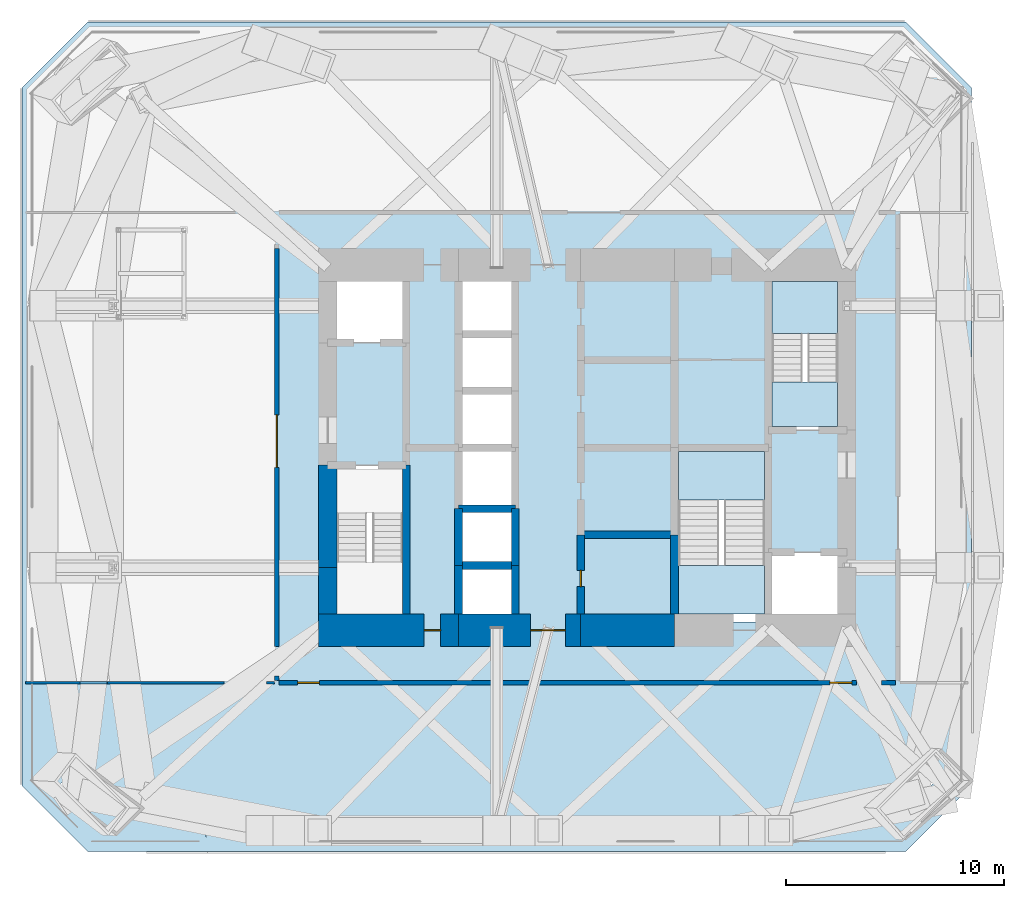
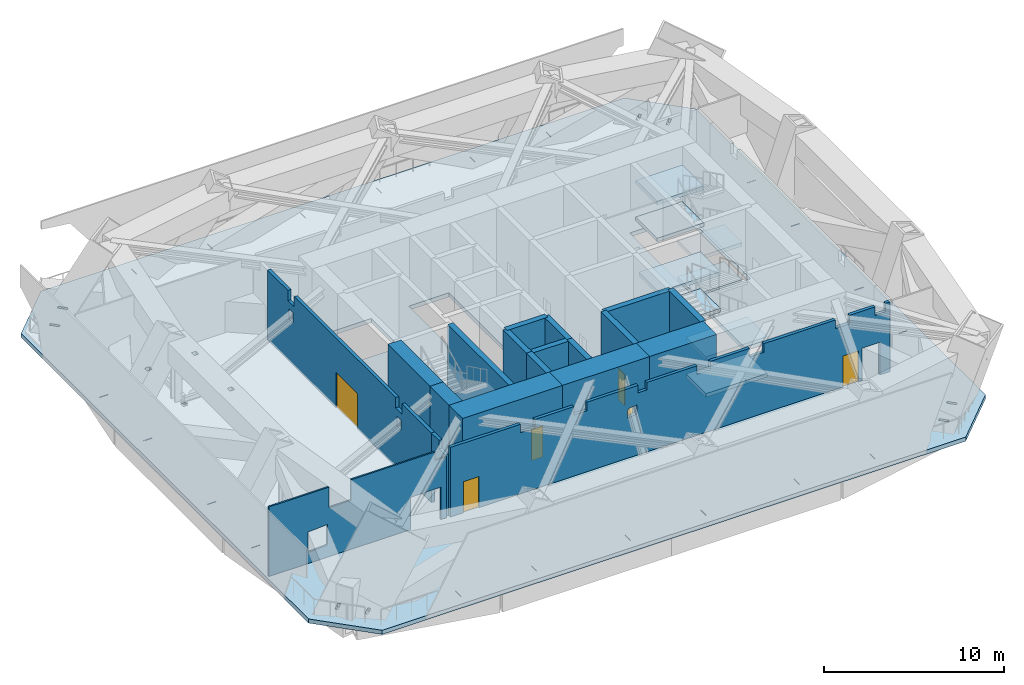
# One storey, part 5 of 11: 19 walls, 9 slabs, 6 doors, 6 openings, 2 elements without a shape of their own.
"""IFC4 building model written with IfcOpenShell, lengths in metres."""

from ifc_helpers import new_model, si_unit, direction, frame, frame_2d, origin, place, context, subcontext, project, spatial, polyline, rectangle, outline, extrude, material, layer, layer_set, constituent, constituent_set, type_object, element, fill, aggregate, save


model = new_model("IFC4")

# Units and contexts
model_context = context("Model", 3, precision=1e-05, world=origin(), true_north=direction((0.0, 1.0)))
body_context = subcontext(model_context, "Body", "Model", "MODEL_VIEW")
ifc_project = project(units=[si_unit("LENGTHUNIT", "METRE"), si_unit("AREAUNIT", "SQUARE_METRE"), si_unit("VOLUMEUNIT", "CUBIC_METRE"), si_unit("PLANEANGLEUNIT", "RADIAN"), si_unit("MASSUNIT", "GRAM", prefix="KILO")], contexts=[model_context])

# Site, building, storey
site_placement = place(None, origin())
site = spatial("IfcSite", under=ifc_project, at=site_placement, CompositionType="ELEMENT")
building_placement = place(site_placement, origin())
building = spatial("IfcBuilding", under=site, at=building_placement, Name="Jalousie Tower", CompositionType="ELEMENT")
storey_placement = place(building_placement, frame((0.0, 0.0, 144.35009765625)))
storey = spatial("IfcBuildingStorey", under=building, at=storey_placement, Name="L39", CompositionType="ELEMENT", Elevation=144.35009765625)

# Slab
ifc_material_1 = material(Name="Concrete f'c 40 MPa", Category="concrete")
ifc_layer_1 = layer(ifc_material_1, 0.280029296875)
ifc_layer_set_1 = layer_set([ifc_layer_1], Name="Concrete f'c 40 MPa")
slab_type_1 = type_object("IfcSlabType", Name="FLOOR SLAB 280", PredefinedType="FLOOR", material=ifc_layer_set_1)
slab_1_placement = place(storey_placement, frame((0.0, 0.0, -0.280029296875)))
element("IfcSlab", 1, at=slab_1_placement, inside=storey, type_object=slab_type_1, Name="L39 floor slab", PredefinedType="FLOOR", context=body_context, shape_type="SweptSolid", body=[
    extrude(outline(polyline([(9.0, 0.0), (46.5, 0.0), (49.5, 3.0), (49.5, 35.0), (46.5, 38.0), (9.0, 38.0), (6.0, 35.0), (6.0, 3.0), (9.0, 0.0)]), holes=[polyline([(25.300048828125, 1.236083984375), (25.325927734375, 1.236083984375), (25.325927734375, 0.663818359375), (25.300048828125, 0.663818359375), (25.300048828125, 1.236083984375)]), polyline([(14.425048828125, 0.663818359375), (14.425048828125, 1.236083984375), (14.450927734375, 1.236083984375), (14.450927734375, 0.663818359375), (14.425048828125, 0.663818359375)]), polyline([(19.324951171875, 0.663818359375), (19.299072265625, 0.663818359375), (19.299072265625, 1.236083984375), (19.324951171875, 1.236083984375), (19.324951171875, 0.663818359375)]), polyline([(9.1005859375, 1.75732421875), (8.98193359375, 1.876220703125), (9.38671875, 2.28076171875), (9.505615234375, 2.162109375), (9.1005859375, 1.75732421875)]), polyline([(8.162109375, 3.505615234375), (8.28076171875, 3.38671875), (7.876220703125, 2.98193359375), (7.75732421875, 3.1005859375), (8.162109375, 3.505615234375)]), polyline([(6.663818359375, 10.550048828125), (6.663818359375, 10.575927734375), (7.236083984375, 10.575927734375), (7.236083984375, 10.550048828125), (6.663818359375, 10.550048828125)]), polyline([(20.0, 10.5), (23.60009765625, 10.5), (23.60009765625, 17.699951171875), (20.0, 17.699951171875), (20.0, 10.5)]), polyline([(7.236083984375, 15.449951171875), (7.236083984375, 15.424072265625), (6.663818359375, 15.424072265625), (6.663818359375, 15.449951171875), (7.236083984375, 15.449951171875)]), polyline([(26.0, 10.5), (26.0, 26.5), (28.60009765625, 26.5), (28.60009765625, 10.5), (26.0, 10.5)]), polyline([(7.236083984375, 22.550048828125), (6.663818359375, 22.550048828125), (6.663818359375, 22.575927734375), (7.236083984375, 22.575927734375), (7.236083984375, 22.550048828125)]), polyline([(20.0, 23.300048828125), (23.60009765625, 23.300048828125), (23.60009765625, 26.5), (20.0, 26.5), (20.0, 23.300048828125)]), polyline([(7.236083984375, 27.449951171875), (7.236083984375, 27.424072265625), (6.663818359375, 27.424072265625), (6.663818359375, 27.449951171875), (7.236083984375, 27.449951171875)]), polyline([(7.75732421875, 34.8994140625), (7.876220703125, 35.01806640625), (8.28076171875, 34.61328125), (8.162109375, 34.494384765625), (7.75732421875, 34.8994140625)]), polyline([(9.505615234375, 35.837890625), (9.38671875, 35.71923828125), (8.98193359375, 36.123779296875), (9.1005859375, 36.24267578125), (9.505615234375, 35.837890625)]), polyline([(19.324951171875, 36.763916015625), (19.299072265625, 36.763916015625), (19.299072265625, 37.336181640625), (19.324951171875, 37.336181640625), (19.324951171875, 36.763916015625)]), polyline([(14.425048828125, 37.336181640625), (14.450927734375, 37.336181640625), (14.450927734375, 36.763916015625), (14.425048828125, 36.763916015625), (14.425048828125, 37.336181640625)]), polyline([(25.300048828125, 37.336181640625), (25.325927734375, 37.336181640625), (25.325927734375, 36.763916015625), (25.300048828125, 36.763916015625), (25.300048828125, 37.336181640625)]), polyline([(30.199951171875, 1.236083984375), (30.199951171875, 0.663818359375), (30.174072265625, 0.663818359375), (30.174072265625, 1.236083984375), (30.199951171875, 1.236083984375)]), polyline([(36.175048828125, 1.236083984375), (36.200927734375, 1.236083984375), (36.200927734375, 0.663818359375), (36.175048828125, 0.663818359375), (36.175048828125, 1.236083984375)]), polyline([(41.074951171875, 0.663818359375), (41.049072265625, 0.663818359375), (41.049072265625, 1.236083984375), (41.074951171875, 1.236083984375), (41.074951171875, 0.663818359375)]), polyline([(45.994384765625, 2.162109375), (46.11328125, 2.28076171875), (46.51806640625, 1.876220703125), (46.3994140625, 1.75732421875), (45.994384765625, 2.162109375)]), polyline([(47.74267578125, 3.1005859375), (47.623779296875, 2.98193359375), (47.21923828125, 3.38671875), (47.337890625, 3.505615234375), (47.74267578125, 3.1005859375)]), polyline([(48.263916015625, 10.550048828125), (48.263916015625, 10.575927734375), (48.836181640625, 10.575927734375), (48.836181640625, 10.550048828125), (48.263916015625, 10.550048828125)]), polyline([(43.800048828125, 10.5), (35.89990234375, 10.5), (35.89990234375, 18.5), (40.199951171875, 18.5), (40.199951171875, 13.699951171875), (43.800048828125, 13.699951171875), (43.800048828125, 10.5)]), polyline([(48.836181640625, 15.449951171875), (48.836181640625, 15.424072265625), (48.263916015625, 15.424072265625), (48.263916015625, 15.449951171875), (48.836181640625, 15.449951171875)]), polyline([(48.836181640625, 22.550048828125), (48.263916015625, 22.550048828125), (48.263916015625, 22.575927734375), (48.836181640625, 22.575927734375), (48.836181640625, 22.550048828125)]), polyline([(40.199951171875, 19.300048828125), (43.800048828125, 19.300048828125), (43.800048828125, 26.5), (40.199951171875, 26.5), (40.199951171875, 19.300048828125)]), polyline([(48.836181640625, 27.449951171875), (48.836181640625, 27.424072265625), (48.263916015625, 27.424072265625), (48.263916015625, 27.449951171875), (48.836181640625, 27.449951171875)]), polyline([(47.337890625, 34.494384765625), (47.21923828125, 34.61328125), (47.623779296875, 35.01806640625), (47.74267578125, 34.8994140625), (47.337890625, 34.494384765625)]), polyline([(46.3994140625, 36.24267578125), (46.51806640625, 36.123779296875), (46.11328125, 35.71923828125), (45.994384765625, 35.837890625), (46.3994140625, 36.24267578125)]), polyline([(41.074951171875, 36.763916015625), (41.049072265625, 36.763916015625), (41.049072265625, 37.336181640625), (41.074951171875, 37.336181640625), (41.074951171875, 36.763916015625)]), polyline([(36.175048828125, 37.336181640625), (36.200927734375, 37.336181640625), (36.200927734375, 36.763916015625), (36.175048828125, 36.763916015625), (36.175048828125, 37.336181640625)]), polyline([(30.199951171875, 36.763916015625), (30.174072265625, 36.763916015625), (30.174072265625, 37.336181640625), (30.199951171875, 37.336181640625), (30.199951171875, 36.763916015625)]), polyline([(10.262451171875, 24.3349609375), (10.5625, 24.3349609375), (10.5625, 24.635009765625), (10.262451171875, 24.635009765625), (10.262451171875, 24.3349609375)]), polyline([(13.262451171875, 24.3349609375), (13.5625, 24.3349609375), (13.5625, 24.635009765625), (13.262451171875, 24.635009765625), (13.262451171875, 24.3349609375)]), polyline([(10.262451171875, 28.324951171875), (10.5625, 28.324951171875), (10.5625, 28.625), (10.262451171875, 28.625), (10.262451171875, 28.324951171875)]), polyline([(13.262451171875, 28.324951171875), (13.5625, 28.324951171875), (13.5625, 28.625), (13.262451171875, 28.625), (13.262451171875, 28.324951171875)])]), origin(), (0.0, 0.0, 1.0), 0.280029296875),
])

# Stair, slabs
ifc_material_2 = material(Name="Concrete f'c 40 MPa", Category="concrete")
stair_type = type_object("IfcStairType", Name="EXIT STAIR", PredefinedType="HALF_TURN_STAIR", material=ifc_material_2)
stair_1_placement = place(storey_placement, origin())
stair_1 = element("IfcStair", 2, at=stair_1_placement, inside=storey, type_object=stair_type, Name="Exit stair B L39", PredefinedType="HALF_TURN_STAIR")
ifc_material_3 = material(Name="Concrete f'c 40 MPa", Category="concrete")
ifc_layer_2 = layer(ifc_material_3, 0.25)
ifc_layer_set_2 = layer_set([ifc_layer_2], Name="Concrete f'c 40 MPa")
slab_type_2 = type_object("IfcSlabType", Name="STAIR LANDING 250", PredefinedType="LANDING", material=ifc_layer_set_2)
slab_2_placement = place(storey_placement, frame((0.0, 0.0, -0.25)))
slab_2 = element("IfcSlab", 3, at=slab_2_placement, type_object=slab_type_2, Name="ST-B landing 1", PredefinedType="LANDING", context=body_context, shape_type="SweptSolid", body=[
    extrude(outline(polyline([(40.375, 19.47509765625), (43.375, 19.47509765625), (43.375, 21.50244140625), (40.375, 21.50244140625), (40.375, 19.47509765625)])), origin(), (0.0, 0.0, 1.0), 0.25),
])
slab_3_placement = place(storey_placement, frame((0.0, 0.0, 1.0)))
slab_3 = element("IfcSlab", 4, at=slab_3_placement, type_object=slab_type_2, Name="ST-B landing 2", PredefinedType="LANDING", context=body_context, shape_type="SweptSolid", body=[
    extrude(outline(polyline([(40.375, 23.742431640625), (43.375, 23.742431640625), (43.375, 26.125), (40.375, 26.125), (40.375, 23.742431640625)])), origin(), (0.0, 0.0, 1.0), 0.25),
])
slab_4_placement = place(storey_placement, frame((0.0, 0.0, 2.25)))
slab_4 = element("IfcSlab", 5, at=slab_4_placement, type_object=slab_type_2, Name="ST-B landing 3", PredefinedType="LANDING", context=body_context, shape_type="SweptSolid", body=[
    extrude(outline(polyline([(40.375, 19.47509765625), (43.375, 19.47509765625), (43.375, 21.50244140625), (40.375, 21.50244140625), (40.375, 19.47509765625)])), origin(), (0.0, 0.0, 1.0), 0.25),
])
slab_5_placement = place(storey_placement, frame((0.0, 0.0, 3.5)))
slab_5 = element("IfcSlab", 6, at=slab_5_placement, type_object=slab_type_2, Name="ST-B landing 4", PredefinedType="LANDING", context=body_context, shape_type="SweptSolid", body=[
    extrude(outline(polyline([(40.375, 23.742431640625), (43.375, 23.742431640625), (43.375, 26.125), (40.375, 26.125), (40.375, 23.742431640625)])), origin(), (0.0, 0.0, 1.0), 0.25),
])
aggregate(stair_1, [slab_2, slab_3, slab_4, slab_5])

stair_2_placement = place(storey_placement, origin())
stair_2 = element("IfcStair", 7, at=stair_2_placement, inside=storey, type_object=stair_type, Name="Exit stair C L39", PredefinedType="HALF_TURN_STAIR")
slab_6_placement = place(storey_placement, frame((0.0, 0.0, -0.25)))
slab_6 = element("IfcSlab", 8, at=slab_6_placement, type_object=slab_type_2, Name="ST-C landing 1", PredefinedType="LANDING", context=body_context, shape_type="SweptSolid", body=[
    extrude(outline(polyline([(36.074951171875, 10.875), (40.02490234375, 10.875), (40.02490234375, 13.097412109375), (36.074951171875, 13.097412109375), (36.074951171875, 10.875)])), origin(), (0.0, 0.0, 1.0), 0.25),
])
slab_7_placement = place(storey_placement, frame((0.0, 0.0, 1.0)))
slab_7 = element("IfcSlab", 9, at=slab_7_placement, type_object=slab_type_2, Name="ST-C landing 2", PredefinedType="LANDING", context=body_context, shape_type="SweptSolid", body=[
    extrude(outline(polyline([(36.074951171875, 16.097412109375), (40.02490234375, 16.097412109375), (40.02490234375, 18.324951171875), (36.074951171875, 18.324951171875), (36.074951171875, 16.097412109375)])), origin(), (0.0, 0.0, 1.0), 0.25),
])
slab_8_placement = place(storey_placement, frame((0.0, 0.0, 2.25)))
slab_8 = element("IfcSlab", 10, at=slab_8_placement, type_object=slab_type_2, Name="ST-C landing 3", PredefinedType="LANDING", context=body_context, shape_type="SweptSolid", body=[
    extrude(outline(polyline([(36.074951171875, 10.875), (40.02490234375, 10.875), (40.02490234375, 13.097412109375), (36.074951171875, 13.097412109375), (36.074951171875, 10.875)])), origin(), (0.0, 0.0, 1.0), 0.25),
])
slab_9_placement = place(storey_placement, frame((0.0, 0.0, 3.5)))
slab_9 = element("IfcSlab", 11, at=slab_9_placement, type_object=slab_type_2, Name="ST-C landing 4", PredefinedType="LANDING", context=body_context, shape_type="SweptSolid", body=[
    extrude(outline(polyline([(36.074951171875, 16.097412109375), (40.02490234375, 16.097412109375), (40.02490234375, 18.324951171875), (36.074951171875, 18.324951171875), (36.074951171875, 16.097412109375)])), origin(), (0.0, 0.0, 1.0), 0.25),
])
aggregate(stair_2, [slab_6, slab_7, slab_8, slab_9])

# Wall, opening, door
ifc_material_4 = material(Name="Concrete f'c 120 MPa", Category="concrete")
ifc_layer_3 = layer(ifc_material_4, 1.5)
ifc_layer_set_3 = layer_set([ifc_layer_3], Name="Concrete f'c 120 MPa")
wall_type_1 = type_object("IfcWallType", Name="CORE WALL 1500", PredefinedType="SHEAR", material=ifc_layer_set_3)
wall_1_placement = place(storey_placement, frame((19.574951171875, 10.125, 0.0), z_axis=(0.0, 0.0, 1.0), x_axis=(1.0, 0.0, 0.0)))
wall_1 = element("IfcWall", 12, at=wall_1_placement, inside=storey, type_object=wall_type_1, Name="Core wall SA L39", PredefinedType="SHEAR", context=body_context, shape_type="SweptSolid", body=[
    extrude(rectangle(XDim=6.425048828125, YDim=1.5, at=frame_2d((3.21240234375, 0.0))), origin(), (0.0, 0.0, 1.0), 5.0),
])
opening_1_placement = place(wall_1_placement, frame((4.85009765625, 0.0, 0.0)))
opening_1 = element("IfcOpeningElement", 13, at=opening_1_placement, cuts=wall_1, Name="Opening D16", PredefinedType="OPENING", context=body_context, shape_type="SweptSolid", body=[
    extrude(rectangle(XDim=0.75, YDim=2.10009765625, at=frame_2d((0.375, 1.050048828125))), frame((0.0, 0.760009765625, 0.0), z_axis=(0.0, -1.0, 0.0), x_axis=(1.0, 0.0, 0.0)), (0.0, 0.0, 1.0), 1.52001953125),
])
ifc_material_5 = material(Name="Steel fire door", Category="steel")
door_type_1 = type_object("IfcDoorType", Name="RISER DOOR 750", OperationType="SINGLE_SWING_LEFT", PredefinedType="DOOR", material=ifc_material_5)
door_1_placement = place(opening_1_placement, origin())
door_1 = element("IfcDoor", 14, at=door_1_placement, inside=storey, type_object=door_type_1, Name="South riser door", OperationType="SINGLE_SWING_LEFT", OverallHeight=2.10009765625, OverallWidth=0.75, PredefinedType="DOOR", context=body_context, shape_type="SweptSolid", body=[
    extrude(rectangle(XDim=0.75, YDim=2.10009765625, at=frame_2d((0.375, 1.050048828125))), frame((0.0, 0.02490234375, 0.0), z_axis=(0.0, -1.0, 0.0), x_axis=(1.0, 0.0, 0.0)), (0.0, 0.0, 1.0), 0.050048828125),
])
fill(opening_1, door_1)

wall_2_placement = place(storey_placement, frame((26.0, 10.125, 0.0), z_axis=(0.0, 0.0, 1.0), x_axis=(1.0, 0.0, 0.0)))
wall_2 = element("IfcWall", 15, at=wall_2_placement, inside=storey, type_object=wall_type_1, Name="Core wall SB L39", PredefinedType="SHEAR", context=body_context, shape_type="SweptSolid", body=[
    extrude(rectangle(XDim=5.60009765625, YDim=1.5, at=frame_2d((2.800048828125, 0.0))), origin(), (0.0, 0.0, 1.0), 5.0),
])
opening_2_placement = place(wall_2_placement, frame((3.300048828125, 0.0, 0.0)))
opening_2 = element("IfcOpeningElement", 16, at=opening_2_placement, cuts=wall_2, Name="Opening D15", PredefinedType="OPENING", context=body_context, shape_type="SweptSolid", body=[
    extrude(rectangle(XDim=1.60009765625, YDim=2.10009765625, at=frame_2d((0.800048828125, 1.050048828125))), frame((0.0, 0.760009765625, 0.0), z_axis=(0.0, -1.0, 0.0), x_axis=(1.0, 0.0, 0.0)), (0.0, 0.0, 1.0), 1.52001953125),
])
ifc_material_6 = material(Name="Steel fire door", Category="steel")
door_type_2 = type_object("IfcDoorType", Name="LIFT LOBBY DOOR 1600", OperationType="DOUBLE_DOOR_SINGLE_SWING", PredefinedType="DOOR", material=ifc_material_6)
door_2_placement = place(opening_2_placement, origin())
door_2 = element("IfcDoor", 17, at=door_2_placement, inside=storey, type_object=door_type_2, Name="Lift lobby south door", OperationType="DOUBLE_DOOR_SINGLE_SWING", OverallHeight=2.10009765625, OverallWidth=1.60009765625, PredefinedType="DOOR", context=body_context, shape_type="SweptSolid", body=[
    extrude(rectangle(XDim=1.60009765625, YDim=2.10009765625, at=frame_2d((0.800048828125, 1.050048828125))), frame((0.0, 0.02490234375, 0.0), z_axis=(0.0, -1.0, 0.0), x_axis=(1.0, 0.0, 0.0)), (0.0, 0.0, 1.0), 0.050048828125),
])
fill(opening_2, door_2)

# Walls
wall_3_placement = place(storey_placement, frame((31.60009765625, 10.125, 0.0), z_axis=(0.0, 0.0, 1.0), x_axis=(1.0, 0.0, 0.0)))
element("IfcWall", 18, at=wall_3_placement, inside=storey, type_object=wall_type_1, Name="Core wall SC L39", PredefinedType="SHEAR", context=body_context, shape_type="SweptSolid", body=[
    extrude(rectangle(XDim=4.2998046875, YDim=1.5, at=frame_2d((2.14990234375, 0.0))), origin(), (0.0, 0.0, 1.0), 5.0),
])
ifc_material_7 = material(Name="Concrete f'c 120 MPa", Category="concrete")
ifc_layer_4 = layer(ifc_material_7, 0.35009765625)
ifc_layer_set_4 = layer_set([ifc_layer_4], Name="Concrete f'c 120 MPa")
wall_type_2 = type_object("IfcWallType", Name="CORE WALL 350", PredefinedType="SHEAR", material=ifc_layer_set_4)
wall_4_placement = place(storey_placement, frame((23.60009765625, 10.875, 0.0), z_axis=(0.0, 0.0, 1.0), x_axis=(0.0, 1.0, 0.0)))
element("IfcWall", 19, at=wall_4_placement, inside=storey, type_object=wall_type_2, Name="Core wall X23.6A L39", PredefinedType="SHEAR", context=body_context, shape_type="SweptSolid", body=[
    extrude(rectangle(XDim=6.824951171875, YDim=0.35009765625, at=frame_2d((3.41259765625, 0.0))), origin(), (0.0, 0.0, 1.0), 5.0),
])
wall_5_placement = place(storey_placement, frame((26.0, 10.875, 0.0), z_axis=(0.0, 0.0, 1.0), x_axis=(0.0, 1.0, 0.0)))
element("IfcWall", 20, at=wall_5_placement, inside=storey, type_object=wall_type_2, Name="Core wall X26A L39", PredefinedType="SHEAR", context=body_context, shape_type="SweptSolid", body=[
    extrude(rectangle(XDim=2.22509765625, YDim=0.35009765625, at=frame_2d((1.112548828125, 0.0))), origin(), (0.0, 0.0, 1.0), 5.0),
])
wall_6_placement = place(storey_placement, frame((26.0, 13.10009765625, 0.0), z_axis=(0.0, 0.0, 1.0), x_axis=(0.0, 1.0, 0.0)))
element("IfcWall", 21, at=wall_6_placement, inside=storey, type_object=wall_type_2, Name="Core wall X26B L39", PredefinedType="SHEAR", context=body_context, shape_type="SweptSolid", body=[
    extrude(rectangle(XDim=2.599853515625, YDim=0.35009765625, at=frame_2d((1.2998046875, 0.0))), origin(), (0.0, 0.0, 1.0), 5.0),
])
wall_7_placement = place(storey_placement, frame((28.60009765625, 10.875, 0.0), z_axis=(0.0, 0.0, 1.0), x_axis=(0.0, 1.0, 0.0)))
element("IfcWall", 22, at=wall_7_placement, inside=storey, type_object=wall_type_2, Name="Core wall X28.6A L39", PredefinedType="SHEAR", context=body_context, shape_type="SweptSolid", body=[
    extrude(rectangle(XDim=2.22509765625, YDim=0.35009765625, at=frame_2d((1.112548828125, 0.0))), origin(), (0.0, 0.0, 1.0), 5.0),
])
wall_8_placement = place(storey_placement, frame((28.60009765625, 13.10009765625, 0.0), z_axis=(0.0, 0.0, 1.0), x_axis=(0.0, 1.0, 0.0)))
element("IfcWall", 23, at=wall_8_placement, inside=storey, type_object=wall_type_2, Name="Core wall X28.6B L39", PredefinedType="SHEAR", context=body_context, shape_type="SweptSolid", body=[
    extrude(rectangle(XDim=2.599853515625, YDim=0.35009765625, at=frame_2d((1.2998046875, 0.0))), origin(), (0.0, 0.0, 1.0), 5.0),
])

# Wall, opening, door
wall_9_placement = place(storey_placement, frame((31.60009765625, 10.875, 0.0), z_axis=(0.0, 0.0, 1.0), x_axis=(0.0, 1.0, 0.0)))
wall_9 = element("IfcWall", 24, at=wall_9_placement, inside=storey, type_object=wall_type_2, Name="Core wall X31.6A L39", PredefinedType="SHEAR", context=body_context, shape_type="SweptSolid", body=[
    extrude(rectangle(XDim=3.625, YDim=0.35009765625, at=frame_2d((1.8125, 0.0))), origin(), (0.0, 0.0, 1.0), 5.0),
])
opening_3_placement = place(wall_9_placement, frame((1.25, 0.0, 0.0)))
opening_3 = element("IfcOpeningElement", 25, at=opening_3_placement, cuts=wall_9, Name="Opening D16", PredefinedType="OPENING", context=body_context, shape_type="SweptSolid", body=[
    extrude(rectangle(XDim=0.75, YDim=2.10009765625, at=frame_2d((0.375, 1.050048828125))), frame((0.0, 0.18505859375, 0.0), z_axis=(0.0, -1.0, 0.0), x_axis=(1.0, 0.0, 0.0)), (0.0, 0.0, 1.0), 0.3701171875),
])
door_3_placement = place(opening_3_placement, frame((0.75, 0.0, 0.0), z_axis=(0.0, 0.0, 1.0), x_axis=(-1.0, 0.0, 0.0)))
door_3 = element("IfcDoor", 26, at=door_3_placement, inside=storey, type_object=door_type_1, Name="Refuse Room door", OperationType="SINGLE_SWING_RIGHT", OverallHeight=2.10009765625, OverallWidth=0.75, PredefinedType="DOOR", context=body_context, shape_type="SweptSolid", body=[
    extrude(rectangle(XDim=0.75, YDim=2.10009765625, at=frame_2d((0.375, 1.050048828125))), frame((0.0, 0.02490234375, 0.0), z_axis=(0.0, -1.0, 0.0), x_axis=(1.0, 0.0, 0.0)), (0.0, 0.0, 1.0), 0.050048828125),
])
fill(opening_3, door_3)

# Walls
wall_10_placement = place(storey_placement, frame((35.89990234375, 10.875, 0.0), z_axis=(0.0, 0.0, 1.0), x_axis=(0.0, 1.0, 0.0)))
element("IfcWall", 27, at=wall_10_placement, inside=storey, type_object=wall_type_2, Name="Core wall X35.9A L39", PredefinedType="SHEAR", context=body_context, shape_type="SweptSolid", body=[
    extrude(rectangle(XDim=3.625, YDim=0.35009765625, at=frame_2d((1.8125, 0.0))), origin(), (0.0, 0.0, 1.0), 5.0),
])
for number, where, z_axis, x_axis, name in (
    (28, (26.0, 13.10009765625, 0.0), (0.0, 0.0, 1.0), (1.0, 0.0, 0.0), "Core wall Y26-13.1 L39"),
    (29, (26.0, 15.699951171875, 0.0), (0.0, 0.0, 1.0), (1.0, 0.0, 0.0), "Core wall Y26-15.7 L39"),
):
    element("IfcWall", number, at=place(storey_placement, frame(where, z_axis=z_axis, x_axis=x_axis)), inside=storey, type_object=wall_type_2, Name=name, PredefinedType="SHEAR", context=body_context, shape_type="SweptSolid", body=[
        extrude(rectangle(XDim=2.60009765625, YDim=0.35009765625, at=frame_2d((1.300048828125, 0.0))), origin(), (0.0, 0.0, 1.0), 5.0),
    ])
wall_11_placement = place(storey_placement, frame((31.60009765625, 14.5, 0.0), z_axis=(0.0, 0.0, 1.0), x_axis=(1.0, 0.0, 0.0)))
element("IfcWall", 30, at=wall_11_placement, inside=storey, type_object=wall_type_2, Name="Core wall Y31.6-14.5 L39", PredefinedType="SHEAR", context=body_context, shape_type="SweptSolid", body=[
    extrude(rectangle(XDim=4.2998046875, YDim=0.35009765625, at=frame_2d((2.14990234375, 0.0))), origin(), (0.0, 0.0, 1.0), 5.0),
])
ifc_material_8 = material(Name="Concrete f'c 120 MPa", Category="concrete")
ifc_layer_5 = layer(ifc_material_8, 0.85009765625)
ifc_layer_set_5 = layer_set([ifc_layer_5], Name="Concrete f'c 120 MPa")
wall_type_3 = type_object("IfcWallType", Name="CORE WALL 850", PredefinedType="SHEAR", material=ifc_layer_set_5)
wall_12_placement = place(storey_placement, frame((20.0, 17.699951171875, 0.0), z_axis=(0.0, 0.0, 1.0), x_axis=(0.0, -1.0, 0.0)))
element("IfcWall", 31, at=wall_12_placement, inside=storey, type_object=wall_type_3, Name="Core wall WC L39", PredefinedType="SHEAR", context=body_context, shape_type="SweptSolid", body=[
    extrude(rectangle(XDim=4.699951171875, YDim=0.85009765625, at=frame_2d((2.35009765625, 0.0))), origin(), (0.0, 0.0, 1.0), 5.0),
])
wall_13_placement = place(storey_placement, frame((20.0, 13.0, 0.0), z_axis=(0.0, 0.0, 1.0), x_axis=(0.0, -1.0, 0.0)))
element("IfcWall", 32, at=wall_13_placement, inside=storey, type_object=wall_type_3, Name="Core wall WD L39", PredefinedType="SHEAR", context=body_context, shape_type="SweptSolid", body=[
    extrude(rectangle(XDim=2.125, YDim=0.85009765625, at=frame_2d((1.0625, 0.0))), origin(), (0.0, 0.0, 1.0), 5.0),
])

# Wall, openings, doors
ifc_material_9 = material(Name="Concrete block ASTM C90", Category="concrete")
ifc_constituent_1 = constituent(ifc_material_9, Name="Body")
ifc_material_10 = material(Name="Render")
ifc_constituent_2 = constituent(ifc_material_10, Name="Finish")
ifc_constituent_set_1 = constituent_set(constituents=[ifc_constituent_1, ifc_constituent_2])
wall_type_4 = type_object("IfcWallType", Name="CORRIDOR WALL 200", PredefinedType="PARTITIONING", material=ifc_constituent_set_1)
wall_14_placement = place(storey_placement, frame((17.77490234375, 7.72509765625, 0.0), z_axis=(0.0, 0.0, 1.0), x_axis=(1.0, 0.0, 0.0)))
wall_14 = element("IfcWall", 33, at=wall_14_placement, inside=storey, type_object=wall_type_4, Name="Corridor Wall 200 L39", PredefinedType="PARTITIONING", context=body_context, shape_type="SweptSolid", body=[
    extrude(outline(polyline([(28.25, 0.0), (28.25, 4.719970703125), (27.983154296875, 4.719970703125), (27.983154296875, 4.140869140625), (27.294677734375, 4.140869140625), (27.294677734375, 4.719970703125), (25.67236328125, 4.719970703125), (25.67236328125, 4.140869140625), (24.748291015625, 4.140869140625), (24.748291015625, 4.719970703125), (20.146240234375, 4.719970703125), (20.146240234375, 4.140869140625), (19.23291015625, 4.140869140625), (19.23291015625, 4.719970703125), (16.72021484375, 4.719970703125), (16.72021484375, 4.140869140625), (15.8642578125, 4.140869140625), (15.8642578125, 4.719970703125), (12.634521484375, 4.719970703125), (12.634521484375, 4.2080078125), (12.0654296875, 4.2080078125), (12.0654296875, 4.719970703125), (8.7978515625, 4.719970703125), (8.7978515625, 4.140869140625), (7.944580078125, 4.140869140625), (7.944580078125, 4.719970703125), (5.431884765625, 4.719970703125), (5.431884765625, 4.140869140625), (4.51611328125, 4.140869140625), (4.51611328125, 4.719970703125), (0.0, 4.719970703125), (0.0, 0.0), (26.462646484375, 0.0), (26.462646484375, 2.199951171875), (27.621337890625, 2.199951171875), (27.621337890625, 0.0), (28.25, 0.0)]), holes=[polyline([(11.40478515625, 3.238525390625), (11.459228515625, 3.35302734375), (12.005615234375, 3.42333984375), (12.005615234375, 2.917236328125), (11.951171875, 2.802734375), (11.40478515625, 2.732421875), (11.40478515625, 3.238525390625)])]), frame((0.0, 0.10009765625, 0.0), z_axis=(0.0, -1.0, 0.0), x_axis=(1.0, 0.0, 0.0)), (0.0, 0.0, 1.0), 0.199951171875),
])
opening_4_placement = place(wall_14_placement, frame((0.85009765625, 0.0, 0.0)))
opening_4 = element("IfcOpeningElement", 34, at=opening_4_placement, cuts=wall_14, Name="Opening D21", PredefinedType="OPENING", context=body_context, shape_type="SweptSolid", body=[
    extrude(rectangle(XDim=1.0, YDim=2.10009765625, at=frame_2d((0.5, 1.050048828125))), frame((0.0, 0.10986328125, 0.0), z_axis=(0.0, -1.0, 0.0), x_axis=(1.0, 0.0, 0.0)), (0.0, 0.0, 1.0), 0.219970703125),
])
opening_5_placement = place(wall_14_placement, frame((25.25, 0.0, 0.0)))
opening_5 = element("IfcOpeningElement", 35, at=opening_5_placement, cuts=wall_14, Name="Opening D21", PredefinedType="OPENING", context=body_context, shape_type="SweptSolid", body=[
    extrude(rectangle(XDim=1.0, YDim=2.10009765625, at=frame_2d((0.5, 1.050048828125))), frame((0.0, 0.10986328125, 0.0), z_axis=(0.0, -1.0, 0.0), x_axis=(1.0, 0.0, 0.0)), (0.0, 0.0, 1.0), 0.219970703125),
])
ifc_material_11 = material(Name="Timber fire door", Category="wood")
door_type_3 = type_object("IfcDoorType", Name="CORRIDOR DOOR 1000", OperationType="SINGLE_SWING_LEFT", PredefinedType="DOOR", material=ifc_material_11)
door_4_placement = place(opening_4_placement, frame((1.0, 0.0, 0.0), z_axis=(0.0, 0.0, 1.0), x_axis=(-1.0, 0.0, 0.0)))
door_4 = element("IfcDoor", 36, at=door_4_placement, inside=storey, type_object=door_type_3, Name="Refuge area door", OperationType="SINGLE_SWING_RIGHT", OverallHeight=2.10009765625, OverallWidth=1.0, PredefinedType="DOOR", context=body_context, shape_type="SweptSolid", body=[
    extrude(rectangle(XDim=1.0, YDim=2.10009765625, at=frame_2d((0.5, 1.050048828125))), frame((0.0, 0.02490234375, 0.0), z_axis=(0.0, -1.0, 0.0), x_axis=(1.0, 0.0, 0.0)), (0.0, 0.0, 1.0), 0.050048828125),
])
fill(opening_4, door_4)
door_5_placement = place(opening_5_placement, frame((1.0, 0.0, 0.0), z_axis=(0.0, 0.0, 1.0), x_axis=(-1.0, 0.0, 0.0)))
door_5 = element("IfcDoor", 37, at=door_5_placement, inside=storey, type_object=door_type_3, Name="Refuge area second door", OperationType="SINGLE_SWING_LEFT", OverallHeight=2.10009765625, OverallWidth=1.0, PredefinedType="DOOR", context=body_context, shape_type="SweptSolid", body=[
    extrude(rectangle(XDim=1.0, YDim=2.10009765625, at=frame_2d((0.5, 1.050048828125))), frame((0.0, 0.02490234375, 0.0), z_axis=(0.0, -1.0, 0.0), x_axis=(1.0, 0.0, 0.0)), (0.0, 0.0, 1.0), 0.050048828125),
])
fill(opening_5, door_5)

# Wall
wall_15_placement = place(storey_placement, frame((17.675048828125, 7.824951171875, 0.0), z_axis=(0.0, 0.0, 1.0), x_axis=(0.0, 1.0, 0.0)))
element("IfcWall", 38, at=wall_15_placement, inside=storey, type_object=wall_type_4, Name="Corridor Wall 200 L39", PredefinedType="PARTITIONING", context=body_context, shape_type="SweptSolid", body=[
    extrude(outline(polyline([(1.550048828125, 2.199951171875), (1.550048828125, 4.719970703125), (0.7158203125, 4.719970703125), (0.7158203125, 4.140869140625), (0.0, 4.140869140625), (0.0, 0.0), (0.197998046875, 0.0), (0.197998046875, 2.199951171875), (1.550048828125, 2.199951171875)])), frame((0.0, 0.10009765625, 0.0), z_axis=(0.0, -1.0, 0.0), x_axis=(1.0, 0.0, 0.0)), (0.0, 0.0, 1.0), 0.199951171875),
])

# Wall, opening, door
wall_16_placement = place(storey_placement, frame((17.675048828125, 9.375, 0.0), z_axis=(0.0, 0.0, 1.0), x_axis=(0.0, 1.0, 0.0)))
wall_16 = element("IfcWall", 39, at=wall_16_placement, inside=storey, type_object=wall_type_4, Name="Corridor Wall 200 L39", PredefinedType="PARTITIONING", context=body_context, shape_type="SweptSolid", body=[
    extrude(outline(polyline([(18.25, 0.0), (18.25, 4.719970703125), (15.97509765625, 4.719970703125), (15.97509765625, 4.02001953125), (15.27490234375, 4.02001953125), (15.27490234375, 4.719970703125), (3.97509765625, 4.719970703125), (3.97509765625, 4.02001953125), (3.27490234375, 4.02001953125), (3.27490234375, 4.719970703125), (0.0, 4.719970703125), (0.0, 0.0), (18.25, 0.0)]), holes=[polyline([(3.396484375, 2.834716796875), (3.396484375, 3.53271484375), (3.853515625, 3.53271484375), (3.853515625, 2.834716796875), (3.396484375, 2.834716796875)]), polyline([(15.396484375, 2.834716796875), (15.396484375, 3.53271484375), (15.853515625, 3.53271484375), (15.853515625, 2.834716796875), (15.396484375, 2.834716796875)])]), frame((0.0, 0.10009765625, 0.0), z_axis=(0.0, -1.0, 0.0), x_axis=(1.0, 0.0, 0.0)), (0.0, 0.0, 1.0), 0.199951171875),
])
opening_6_placement = place(wall_16_placement, frame((8.22509765625, 0.0, 0.0)))
opening_6 = element("IfcOpeningElement", 40, at=opening_6_placement, cuts=wall_16, Name="Opening D9", PredefinedType="OPENING", context=body_context, shape_type="SweptSolid", body=[
    extrude(rectangle(XDim=2.39990234375, YDim=2.39990234375, at=frame_2d((1.199951171875, 1.199951171875))), frame((0.0, 0.10986328125, 0.0), z_axis=(0.0, -1.0, 0.0), x_axis=(1.0, 0.0, 0.0)), (0.0, 0.0, 1.0), 0.219970703125),
])
ifc_material_12 = material(Name="Steel fire door", Category="steel")
door_type_4 = type_object("IfcDoorType", Name="PLANT DOOR 2400", OperationType="DOUBLE_DOOR_SINGLE_SWING", PredefinedType="DOOR", material=ifc_material_12)
door_6_placement = place(opening_6_placement, origin())
door_6 = element("IfcDoor", 41, at=door_6_placement, inside=storey, type_object=door_type_4, Name="Electrical plant room door", OperationType="DOUBLE_DOOR_SINGLE_SWING", OverallHeight=2.39990234375, OverallWidth=2.39990234375, PredefinedType="DOOR", context=body_context, shape_type="SweptSolid", body=[
    extrude(rectangle(XDim=2.39990234375, YDim=2.39990234375, at=frame_2d((1.199951171875, 1.199951171875))), frame((0.0, 0.02490234375, 0.0), z_axis=(0.0, -1.0, 0.0), x_axis=(1.0, 0.0, 0.0)), (0.0, 0.0, 1.0), 0.050048828125),
])
fill(opening_6, door_6)

# Wall
ifc_material_13 = material(Name="Gypsum board", Category="gypsum")
ifc_constituent_3 = constituent(ifc_material_13, Name="Body")
ifc_material_14 = material(Name="Light-gauge steel studs ASTM A653 SS Grade 33", Category="steel")
ifc_constituent_4 = constituent(ifc_material_14, Name="Framing")
ifc_constituent_set_2 = constituent_set(constituents=[ifc_constituent_3, ifc_constituent_4])
wall_type_5 = type_object("IfcWallType", Name="PARTITION 100", PredefinedType="PARTITIONING", material=ifc_constituent_set_2)
wall_17_placement = place(storey_placement, frame((6.14990234375, 7.72509765625, 0.0), z_axis=(0.0, 0.0, 1.0), x_axis=(1.0, 0.0, 0.0)))
element("IfcWall", 42, at=wall_17_placement, inside=storey, type_object=wall_type_5, Name="Partition 100 L39", PredefinedType="PARTITIONING", context=body_context, shape_type="SweptSolid", body=[
    extrude(outline(polyline([(11.054931640625, 0.0), (11.425048828125, 0.0), (11.425048828125, 4.140869140625), (10.675537109375, 4.140869140625), (10.675537109375, 4.719970703125), (5.28759765625, 4.719970703125), (5.28759765625, 3.31982421875), (3.858154296875, 3.31982421875), (3.858154296875, 4.719970703125), (0.0, 4.719970703125), (0.0, 0.0), (9.109375, 0.0), (9.109375, 2.199951171875), (11.054931640625, 2.199951171875), (11.054931640625, 0.0)]), holes=[polyline([(2.508056640625, 0.73974609375), (2.508056640625, 2.08203125), (2.52294921875, 2.138427734375), (3.75048828125, 2.21240234375), (3.75048828125, 0.870361328125), (3.735595703125, 0.81396484375), (2.508056640625, 0.73974609375)])]), frame((0.0, 0.050048828125, 0.0), z_axis=(0.0, -1.0, 0.0), x_axis=(1.0, 0.0, 0.0)), (0.0, 0.0, 1.0), 0.10009765625),
])

save(model, "model.ifc")
